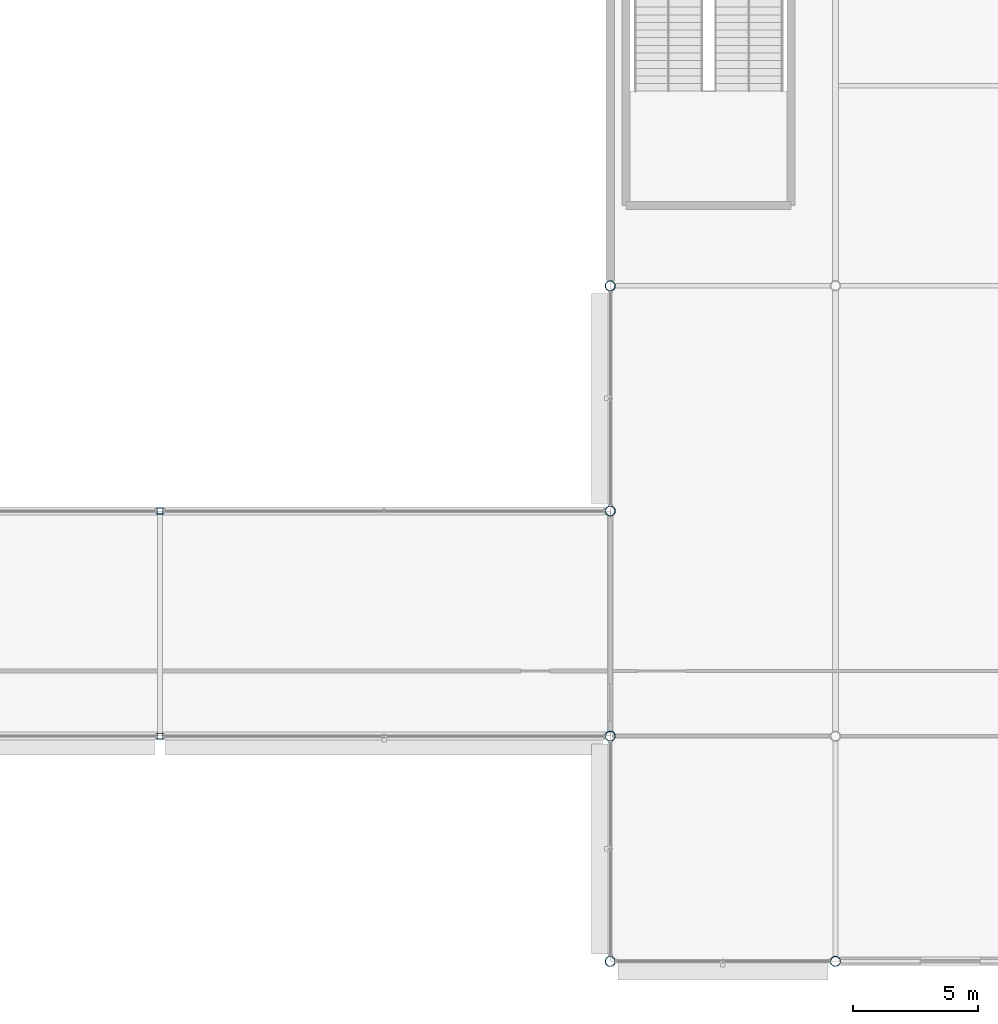
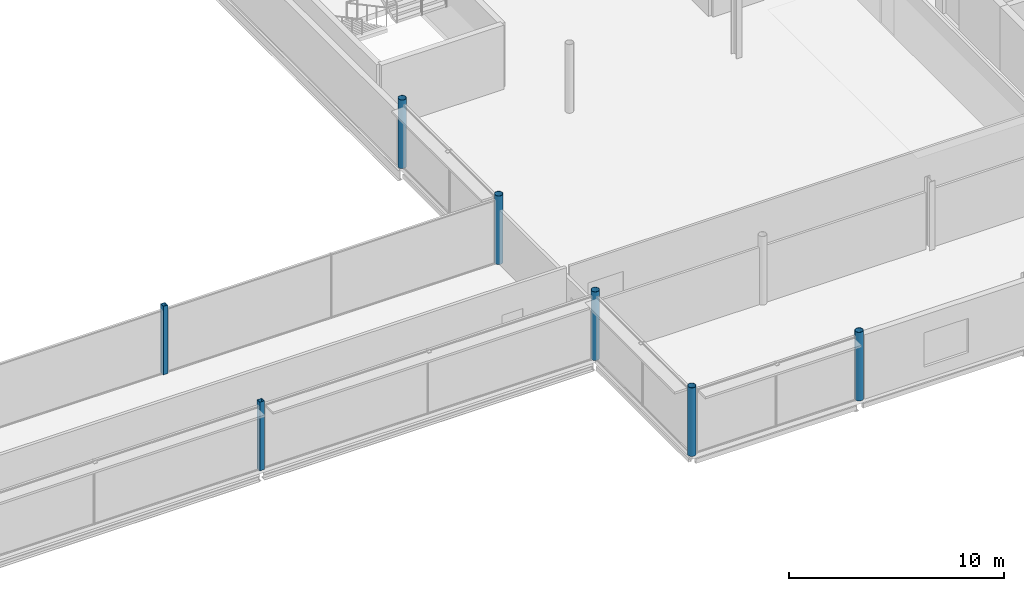
# One storey, part 9 of 96: 7 columns.
"""IFC4 building model written with IfcOpenShell, lengths in metres."""

from ifc_helpers import new_model, si_unit, direction, frame, origin, origin_2d, place, context, subcontext, project, spatial, hollow_rectangle, hollow_circle, extrude, material, material_profile, profile_set, type_object, element, save


model = new_model("IFC4")

# Units and contexts
model_context = context("Model", 3, precision=1e-05, world=origin(), true_north=direction((0.0, 1.0)))
body_context = subcontext(model_context, "Body", "Model", "MODEL_VIEW")
ifc_project = project(units=[si_unit("LENGTHUNIT", "METRE"), si_unit("AREAUNIT", "SQUARE_METRE"), si_unit("VOLUMEUNIT", "CUBIC_METRE"), si_unit("PLANEANGLEUNIT", "RADIAN"), si_unit("MASSUNIT", "GRAM", prefix="KILO")], contexts=[model_context])

# Site, building, storey
site_placement = place(None, origin())
site = spatial("IfcSite", under=ifc_project, at=site_placement, CompositionType="ELEMENT")
building_placement = place(site_placement, origin())
building = spatial("IfcBuilding", under=site, at=building_placement, Name="Kisiwana Market Hall", CompositionType="ELEMENT")
storey_placement = place(building_placement, frame((0.0, 0.0, 25.5)))
storey = spatial("IfcBuildingStorey", under=building, at=storey_placement, Name="L05", CompositionType="ELEMENT", Elevation=25.5)

# Columns
ifc_material_1 = material(Name="Steel S355", Category="steel")
ifc_material_profile_1 = material_profile(ifc_material_1, hollow_circle(Radius=0.203125, WallThickness=0.01611328125, at=origin_2d()), Name="CHS 406.4x16")
ifc_profile_set_1 = profile_set([ifc_material_profile_1], Name="Steel S355")
column_type_1 = type_object("IfcColumnType", Name="COL-STL-CHS406", PredefinedType="COLUMN", material=ifc_profile_set_1)
for number, where, z_axis, x_axis, name in (
    (1, (153.0, 9.0, 0.0), (0.0, 0.0, 1.0), (1.0, 0.0, 0.0), "Column B/18 (L05) C-0937"),
    (2, (153.0, 18.0, 0.0), (0.0, 0.0, 1.0), (1.0, 0.0, 0.0), "Column C/18 (L05) C-0938"),
    (3, (153.0, 27.0, 0.0), (0.0, 0.0, 1.0), (1.0, 0.0, 0.0), "Column D/18 (L05) C-0939"),
    (4, (153.0, 36.0, 0.0), (0.0, 0.0, 1.0), (1.0, 0.0, 0.0), "Column E/18 (L05) C-0940"),
    (5, (162.0, 9.0, 0.0), (0.0, 0.0, 1.0), (1.0, 0.0, 0.0), "Column B/19 (L05) C-0946"),
):
    element("IfcColumn", number, at=place(storey_placement, frame(where, z_axis=z_axis, x_axis=x_axis)), inside=storey, type_object=column_type_1, Name=name, PredefinedType="COLUMN", context=body_context, shape_type="SweptSolid", body=[
        extrude(hollow_circle(Radius=0.203125, WallThickness=0.01611328125, at=origin_2d()), origin(), (0.0, 0.0, 1.0), 3.89990234375),
    ])
ifc_material_2 = material(Name="Steel S355", Category="steel")
ifc_material_profile_2 = material_profile(ifc_material_2, hollow_rectangle(XDim=0.25, YDim=0.25, WallThickness=0.012451171875, at=origin_2d()), Name="SHS 250x250x12.5")
ifc_profile_set_2 = profile_set([ifc_material_profile_2], Name="Steel S355")
column_type_2 = type_object("IfcColumnType", Name="COL-STL-SHS250", PredefinedType="COLUMN", material=ifc_profile_set_2)
for number, where, z_axis, x_axis, name in (
    (6, (135.0, 18.0, 0.0), (0.0, 0.0, 1.0), (1.0, 0.0, 0.0), "Column C/16 (L05) C-0933"),
    (7, (135.0, 27.0, 0.0), (0.0, 0.0, 1.0), (1.0, 0.0, 0.0), "Column D/16 (L05) C-0934"),
):
    element("IfcColumn", number, at=place(storey_placement, frame(where, z_axis=z_axis, x_axis=x_axis)), inside=storey, type_object=column_type_2, Name=name, PredefinedType="COLUMN", context=body_context, shape_type="SweptSolid", body=[
        extrude(hollow_rectangle(XDim=0.25, YDim=0.25, WallThickness=0.012451171875, at=origin_2d()), origin(), (0.0, 0.0, 1.0), 3.89990234375),
    ])

save(model, "model.ifc")
